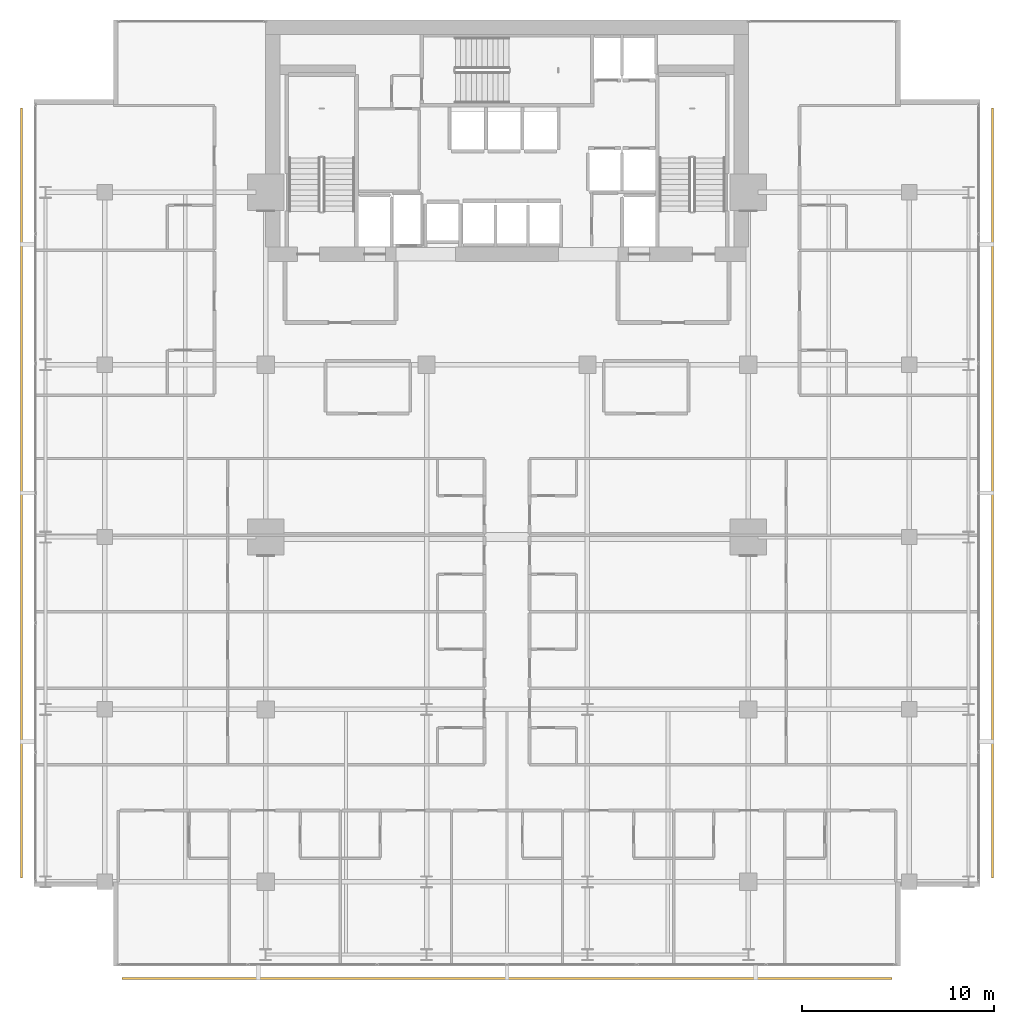
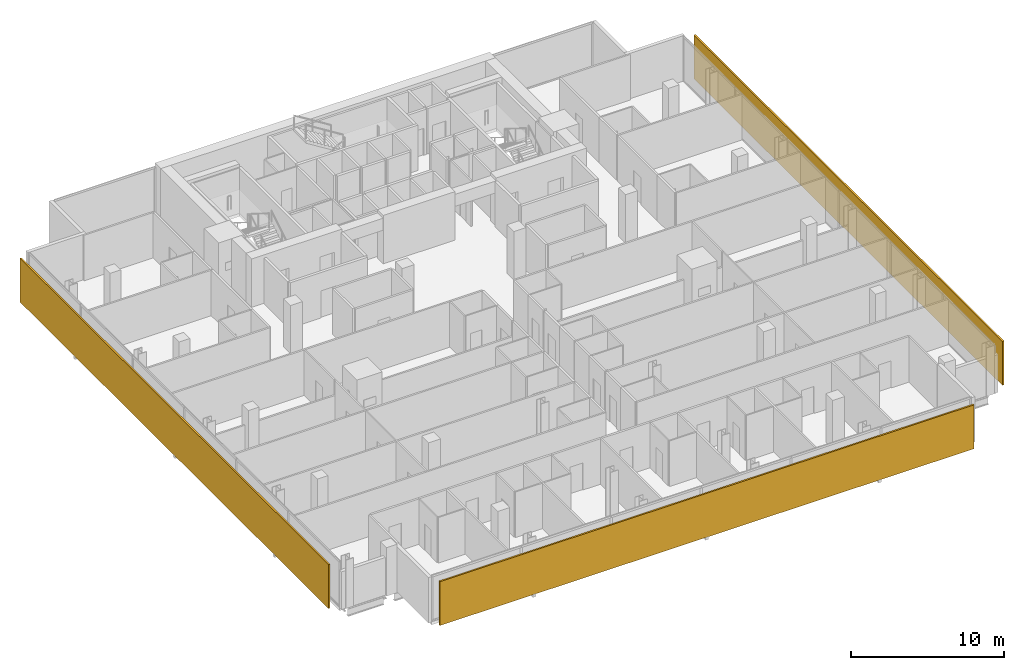
# One storey, part 33 of 34: 3 shading devices.
"""IFC4 building model written with IfcOpenShell, lengths in metres."""

from ifc_helpers import new_model, si_unit, direction, frame, origin, origin_2d, place, context, subcontext, project, spatial, rectangle, extrude, material, layer, layer_set, type_object, element, save


model = new_model("IFC4")

# Units and contexts
model_context = context("Model", 3, precision=1e-05, world=origin(), true_north=direction((0.0, 1.0)))
body_context = subcontext(model_context, "Body", "Model", "MODEL_VIEW")
ifc_project = project(units=[si_unit("LENGTHUNIT", "METRE"), si_unit("AREAUNIT", "SQUARE_METRE"), si_unit("VOLUMEUNIT", "CUBIC_METRE"), si_unit("PLANEANGLEUNIT", "RADIAN"), si_unit("MASSUNIT", "GRAM", prefix="KILO")], contexts=[model_context])

# Site, building, storey
site_placement = place(None, origin())
site = spatial("IfcSite", under=ifc_project, at=site_placement, CompositionType="ELEMENT")
building_placement = place(site_placement, origin())
building = spatial("IfcBuilding", under=site, at=building_placement, Name="Maruvema Waterfront Hotel and Observation Tower", CompositionType="ELEMENT")
storey_placement = place(building_placement, frame((0.0, 0.0, 131.25)))
storey = spatial("IfcBuildingStorey", under=building, at=storey_placement, Name="L31", CompositionType="ELEMENT", Elevation=131.25)

# Shading devices
ifc_material = material(Name="Honed travertine stone and anodised architectural bronze", Category="masonry")
ifc_layer = layer(ifc_material, 0.1201171875, Name="Ventilated Outer Skin Cobogo Stone-and-Bronze Screen 120 mm")
ifc_layer_set = layer_set([ifc_layer], Name="Honed travertine stone and anodised architectural bronze")
shading_device_type = type_object("IfcShadingDeviceType", Name="Ventilated Outer Skin Cobogo Stone-and-Bronze Screen 120 mm", PredefinedType="USERDEFINED", material=ifc_layer_set)
for number, where, z_axis, x_axis, name in (
    (1, (37.800048828125, 3.949951171875, 0.06005859375), (0.0, 0.0, 1.0), (1.0, 0.0, 0.0), "L31 Ventilated Double-Skin Outer Cobogo Screen OS-L31-S"),
    (2, (63.14990234375, 29.300048828125, 0.06005859375), (0.0, 0.0, 1.0), (0.0, 1.0, 0.0), "L31 Ventilated Double-Skin Outer Cobogo Screen OS-L31-E"),
    (3, (12.449951171875, 29.300048828125, 0.06005859375), (0.0, 0.0, 1.0), (0.0, -1.0, 0.0), "L31 Ventilated Double-Skin Outer Cobogo Screen OS-L31-W"),
):
    element("IfcShadingDevice", number, at=place(storey_placement, frame(where, z_axis=z_axis, x_axis=x_axis)), inside=storey, type_object=shading_device_type, Name=name, ObjectType="OUTER SKIN SCREEN", PredefinedType="USERDEFINED", context=body_context, shape_type="SweptSolid", body=[
        extrude(rectangle(XDim=40.199951171875, YDim=0.1201171875, at=origin_2d()), origin(), (0.0, 0.0, 1.0), 3.489990234375),
    ])

save(model, "model.ifc")
